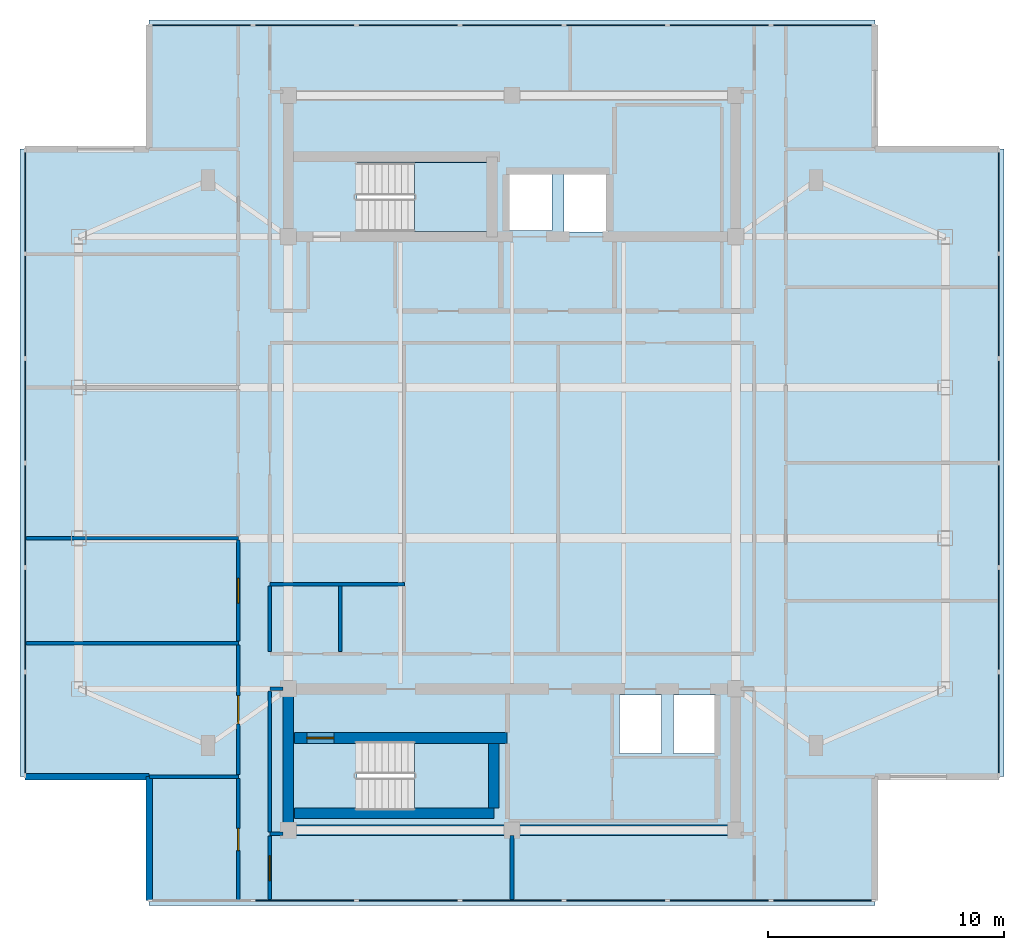
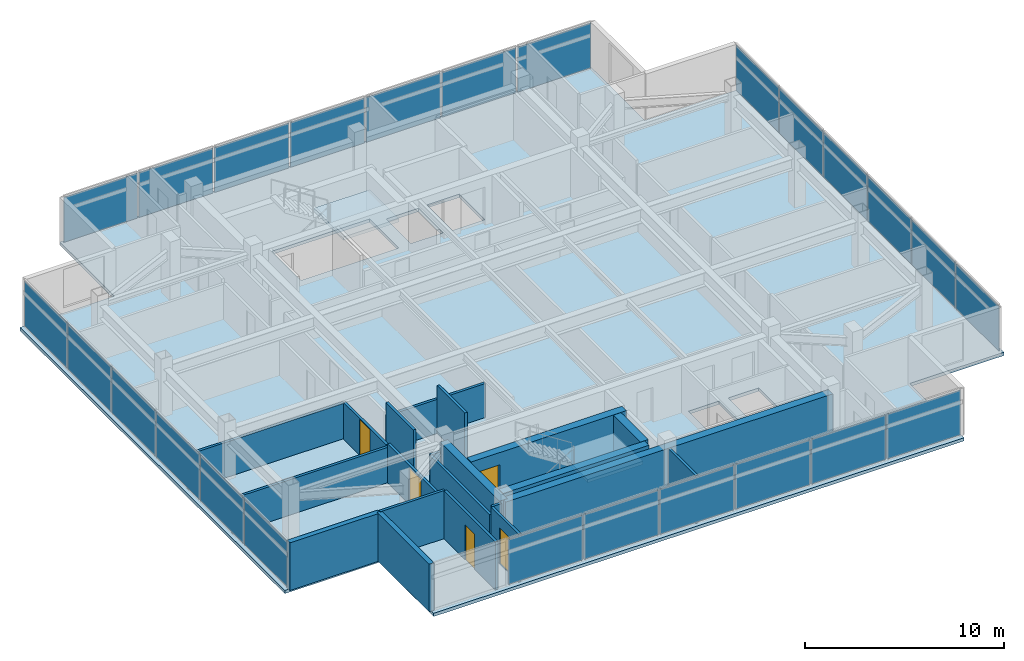
# One storey, part 5 of 11: 25 plates, 21 walls, 5 doors, 3 slabs, 5 openings, 6 elements without a shape of their own.
"""IFC4 building model written with IfcOpenShell, lengths in metres."""

from ifc_helpers import new_model, si_unit, direction, frame, frame_2d, origin, origin_2d, place, context, subcontext, project, spatial, polyline, rectangle, outline, extrude, material, layer, layer_set, type_object, element, fill, aggregate, save


model = new_model("IFC4")

# Units and contexts
model_context = context("Model", 3, precision=1e-05, world=origin(), true_north=direction((0.0, 1.0)))
body_context = subcontext(model_context, "Body", "Model", "MODEL_VIEW")
ifc_project = project(units=[si_unit("LENGTHUNIT", "METRE"), si_unit("AREAUNIT", "SQUARE_METRE"), si_unit("VOLUMEUNIT", "CUBIC_METRE"), si_unit("PLANEANGLEUNIT", "RADIAN"), si_unit("MASSUNIT", "GRAM", prefix="KILO")], contexts=[model_context])

# Site, building, storey
site_placement = place(None, origin())
site = spatial("IfcSite", under=ifc_project, at=site_placement, CompositionType="ELEMENT")
building_placement = place(site_placement, origin())
building = spatial("IfcBuilding", under=site, at=building_placement, Name="Mirazonda Arch Towers", CompositionType="ELEMENT")
storey_placement = place(building_placement, frame((0.0, 0.0, 259.89990234375)))
storey = spatial("IfcBuildingStorey", under=building, at=storey_placement, Name="L74", CompositionType="ELEMENT", Elevation=259.89990234375)

# Curtain wall, plates
ifc_material_1 = material(Name="Anodised Aluminium and Low-E Glass", Category="aluminium")
curtain_wall_type = type_object("IfcCurtainWallType", Name="CW-OBS-LANTERN", PredefinedType="NOTDEFINED", material=ifc_material_1)
curtain_wall_1_placement = place(storey_placement, origin())
curtain_wall_1 = element("IfcCurtainWall", 1, at=curtain_wall_1_placement, inside=storey, type_object=curtain_wall_type, Name="L74 T1 S Facade CW-L74-T1-S", PredefinedType="NOTDEFINED")
ifc_material_2 = material(Name="Insulated Low-E Solar Glass", Category="glass")
ifc_layer_1 = layer(ifc_material_2, 0.048095703125, Name="PAN-CW-OBS-LANTERN")
ifc_layer_set_1 = layer_set([ifc_layer_1], Name="Insulated Low-E Solar Glass")
plate_type = type_object("IfcPlateType", Name="PAN-CW-OBS-LANTERN", PredefinedType="CURTAIN_PANEL", material=ifc_layer_set_1)
plate_1_placement = place(storey_placement, frame((33.681884765625, 9.416015625, 0.090087890625), z_axis=(0.0, 0.0, 1.0), x_axis=(-1.0, 0.0, 0.0)))
plate_1 = element("IfcPlate", 2, at=plate_1_placement, type_object=plate_type, Name="CW-110 panel 1.1", PredefinedType="CURTAIN_PANEL", context=body_context, shape_type="SweptSolid", body=[
    extrude(rectangle(XDim=4.266357421875, YDim=0.048095703125, at=origin_2d()), origin(), (0.0, 0.0, 1.0), 2.75),
])
plate_2_placement = place(storey_placement, frame((29.302978515625, 9.416015625, 0.090087890625), z_axis=(0.0, 0.0, 1.0), x_axis=(-1.0, 0.0, 0.0)))
plate_2 = element("IfcPlate", 3, at=plate_2_placement, type_object=plate_type, Name="CW-110 panel 2.1", PredefinedType="CURTAIN_PANEL", context=body_context, shape_type="SweptSolid", body=[
    extrude(rectangle(XDim=4.3115234375, YDim=0.048095703125, at=origin_2d()), origin(), (0.0, 0.0, 1.0), 2.75),
])
plate_3_placement = place(storey_placement, frame((24.9013671875, 9.416015625, 0.090087890625), z_axis=(0.0, 0.0, 1.0), x_axis=(-1.0, 0.0, 0.0)))
plate_3 = element("IfcPlate", 4, at=plate_3_placement, type_object=plate_type, Name="CW-110 panel 3.1", PredefinedType="CURTAIN_PANEL", context=body_context, shape_type="SweptSolid", body=[
    extrude(rectangle(XDim=4.3115234375, YDim=0.048095703125, at=origin_2d()), origin(), (0.0, 0.0, 1.0), 2.75),
])
plate_4_placement = place(storey_placement, frame((20.5, 9.416015625, 0.090087890625), z_axis=(0.0, 0.0, 1.0), x_axis=(-1.0, 0.0, 0.0)))
plate_4 = element("IfcPlate", 5, at=plate_4_placement, type_object=plate_type, Name="CW-110 panel 4.1", PredefinedType="CURTAIN_PANEL", context=body_context, shape_type="SweptSolid", body=[
    extrude(rectangle(XDim=4.3115234375, YDim=0.048095703125, at=origin_2d()), origin(), (0.0, 0.0, 1.0), 2.75),
])
plate_5_placement = place(storey_placement, frame((16.0986328125, 9.416015625, 0.090087890625), z_axis=(0.0, 0.0, 1.0), x_axis=(-1.0, 0.0, 0.0)))
plate_5 = element("IfcPlate", 6, at=plate_5_placement, type_object=plate_type, Name="CW-110 panel 5.1", PredefinedType="CURTAIN_PANEL", context=body_context, shape_type="SweptSolid", body=[
    extrude(rectangle(XDim=4.3115234375, YDim=0.048095703125, at=origin_2d()), origin(), (0.0, 0.0, 1.0), 2.75),
])
plate_6_placement = place(storey_placement, frame((11.697021484375, 9.416015625, 0.090087890625), z_axis=(0.0, 0.0, 1.0), x_axis=(-1.0, 0.0, 0.0)))
plate_6 = element("IfcPlate", 7, at=plate_6_placement, type_object=plate_type, Name="CW-110 panel 6.1", PredefinedType="CURTAIN_PANEL", context=body_context, shape_type="SweptSolid", body=[
    extrude(rectangle(XDim=4.3115234375, YDim=0.048095703125, at=origin_2d()), origin(), (0.0, 0.0, 1.0), 2.75),
])
aggregate(curtain_wall_1, [plate_1, plate_2, plate_3, plate_4, plate_5, plate_6])

curtain_wall_2_placement = place(storey_placement, origin())
curtain_wall_2 = element("IfcCurtainWall", 8, at=curtain_wall_2_placement, inside=storey, type_object=curtain_wall_type, Name="L74 T1 E Facade CW-L74-T1-E", PredefinedType="NOTDEFINED")
plate_7_placement = place(storey_placement, frame((41.169921875, 16.92333984375, 0.090087890625), z_axis=(0.0, 0.0, 1.0), x_axis=(0.0, 1.0, 0.0)))
plate_7 = element("IfcPlate", 9, at=plate_7_placement, type_object=plate_type, Name="CW-110 panel 1.1", PredefinedType="CURTAIN_PANEL", context=body_context, shape_type="SweptSolid", body=[
    extrude(rectangle(XDim=4.3046875, YDim=0.048095703125, at=origin_2d()), origin(), (0.0, 0.0, 1.0), 2.75),
])
plate_8_placement = place(storey_placement, frame((41.169921875, 21.340576171875, 0.090087890625), z_axis=(0.0, 0.0, 1.0), x_axis=(0.0, 1.0, 0.0)))
plate_8 = element("IfcPlate", 10, at=plate_8_placement, type_object=plate_type, Name="CW-110 panel 2.1", PredefinedType="CURTAIN_PANEL", context=body_context, shape_type="SweptSolid", body=[
    extrude(rectangle(XDim=4.349609375, YDim=0.048095703125, at=origin_2d()), origin(), (0.0, 0.0, 1.0), 2.75),
])
plate_9_placement = place(storey_placement, frame((41.169921875, 25.7802734375, 0.090087890625), z_axis=(0.0, 0.0, 1.0), x_axis=(0.0, 1.0, 0.0)))
plate_9 = element("IfcPlate", 11, at=plate_9_placement, type_object=plate_type, Name="CW-110 panel 3.1", PredefinedType="CURTAIN_PANEL", context=body_context, shape_type="SweptSolid", body=[
    extrude(rectangle(XDim=4.349609375, YDim=0.048095703125, at=origin_2d()), origin(), (0.0, 0.0, 1.0), 2.75),
])
plate_10_placement = place(storey_placement, frame((41.169921875, 30.2197265625, 0.090087890625), z_axis=(0.0, 0.0, 1.0), x_axis=(0.0, 1.0, 0.0)))
plate_10 = element("IfcPlate", 12, at=plate_10_placement, type_object=plate_type, Name="CW-110 panel 4.1", PredefinedType="CURTAIN_PANEL", context=body_context, shape_type="SweptSolid", body=[
    extrude(rectangle(XDim=4.349609375, YDim=0.048095703125, at=origin_2d()), origin(), (0.0, 0.0, 1.0), 2.75),
])
plate_11_placement = place(storey_placement, frame((41.169921875, 34.659423828125, 0.090087890625), z_axis=(0.0, 0.0, 1.0), x_axis=(0.0, 1.0, 0.0)))
plate_11 = element("IfcPlate", 13, at=plate_11_placement, type_object=plate_type, Name="CW-110 panel 5.1", PredefinedType="CURTAIN_PANEL", context=body_context, shape_type="SweptSolid", body=[
    extrude(rectangle(XDim=4.349609375, YDim=0.048095703125, at=origin_2d()), origin(), (0.0, 0.0, 1.0), 2.75),
])
plate_12_placement = place(storey_placement, frame((41.169921875, 39.07666015625, 0.090087890625), z_axis=(0.0, 0.0, 1.0), x_axis=(0.0, 1.0, 0.0)))
plate_12 = element("IfcPlate", 14, at=plate_12_placement, type_object=plate_type, Name="CW-110 panel 6.1", PredefinedType="CURTAIN_PANEL", context=body_context, shape_type="SweptSolid", body=[
    extrude(rectangle(XDim=4.3046875, YDim=0.048095703125, at=origin_2d()), origin(), (0.0, 0.0, 1.0), 2.75),
])
aggregate(curtain_wall_2, [plate_7, plate_8, plate_9, plate_10, plate_11, plate_12])

curtain_wall_3_placement = place(storey_placement, origin())
curtain_wall_3 = element("IfcCurtainWall", 15, at=curtain_wall_3_placement, inside=storey, type_object=curtain_wall_type, Name="L74 T1 N Facade CW-L74-T1-N", PredefinedType="NOTDEFINED")
plate_13_placement = place(storey_placement, frame((7.318115234375, 46.583984375, 0.090087890625), z_axis=(0.0, 0.0, 1.0), x_axis=(1.0, 0.0, 0.0)))
plate_13 = element("IfcPlate", 16, at=plate_13_placement, type_object=plate_type, Name="CW-110 panel 1.1", PredefinedType="CURTAIN_PANEL", context=body_context, shape_type="SweptSolid", body=[
    extrude(rectangle(XDim=4.266357421875, YDim=0.048095703125, at=origin_2d()), origin(), (0.0, 0.0, 1.0), 2.75),
])
plate_14_placement = place(storey_placement, frame((11.697021484375, 46.583984375, 0.090087890625), z_axis=(0.0, 0.0, 1.0), x_axis=(1.0, 0.0, 0.0)))
plate_14 = element("IfcPlate", 17, at=plate_14_placement, type_object=plate_type, Name="CW-110 panel 2.1", PredefinedType="CURTAIN_PANEL", context=body_context, shape_type="SweptSolid", body=[
    extrude(rectangle(XDim=4.3115234375, YDim=0.048095703125, at=origin_2d()), origin(), (0.0, 0.0, 1.0), 2.75),
])
plate_15_placement = place(storey_placement, frame((16.0986328125, 46.583984375, 0.090087890625), z_axis=(0.0, 0.0, 1.0), x_axis=(1.0, 0.0, 0.0)))
plate_15 = element("IfcPlate", 18, at=plate_15_placement, type_object=plate_type, Name="CW-110 panel 3.1", PredefinedType="CURTAIN_PANEL", context=body_context, shape_type="SweptSolid", body=[
    extrude(rectangle(XDim=4.3115234375, YDim=0.048095703125, at=origin_2d()), origin(), (0.0, 0.0, 1.0), 2.75),
])
plate_16_placement = place(storey_placement, frame((20.5, 46.583984375, 0.090087890625), z_axis=(0.0, 0.0, 1.0), x_axis=(1.0, 0.0, 0.0)))
plate_16 = element("IfcPlate", 19, at=plate_16_placement, type_object=plate_type, Name="CW-110 panel 4.1", PredefinedType="CURTAIN_PANEL", context=body_context, shape_type="SweptSolid", body=[
    extrude(rectangle(XDim=4.3115234375, YDim=0.048095703125, at=origin_2d()), origin(), (0.0, 0.0, 1.0), 2.75),
])
plate_17_placement = place(storey_placement, frame((24.9013671875, 46.583984375, 0.090087890625), z_axis=(0.0, 0.0, 1.0), x_axis=(1.0, 0.0, 0.0)))
plate_17 = element("IfcPlate", 20, at=plate_17_placement, type_object=plate_type, Name="CW-110 panel 5.1", PredefinedType="CURTAIN_PANEL", context=body_context, shape_type="SweptSolid", body=[
    extrude(rectangle(XDim=4.3115234375, YDim=0.048095703125, at=origin_2d()), origin(), (0.0, 0.0, 1.0), 2.75),
])
plate_18_placement = place(storey_placement, frame((29.302978515625, 46.583984375, 0.090087890625), z_axis=(0.0, 0.0, 1.0), x_axis=(1.0, 0.0, 0.0)))
plate_18 = element("IfcPlate", 21, at=plate_18_placement, type_object=plate_type, Name="CW-110 panel 6.1", PredefinedType="CURTAIN_PANEL", context=body_context, shape_type="SweptSolid", body=[
    extrude(rectangle(XDim=4.3115234375, YDim=0.048095703125, at=origin_2d()), origin(), (0.0, 0.0, 1.0), 2.75),
])
plate_19_placement = place(storey_placement, frame((33.681884765625, 46.583984375, 0.090087890625), z_axis=(0.0, 0.0, 1.0), x_axis=(1.0, 0.0, 0.0)))
plate_19 = element("IfcPlate", 22, at=plate_19_placement, type_object=plate_type, Name="CW-110 panel 7.1", PredefinedType="CURTAIN_PANEL", context=body_context, shape_type="SweptSolid", body=[
    extrude(rectangle(XDim=4.266357421875, YDim=0.048095703125, at=origin_2d()), origin(), (0.0, 0.0, 1.0), 2.75),
])
aggregate(curtain_wall_3, [plate_13, plate_14, plate_15, plate_16, plate_17, plate_18, plate_19])

curtain_wall_4_placement = place(storey_placement, origin())
curtain_wall_4 = element("IfcCurtainWall", 23, at=curtain_wall_4_placement, inside=storey, type_object=curtain_wall_type, Name="L74 T1 W Facade CW-L74-T1-W", PredefinedType="NOTDEFINED")
plate_20_placement = place(storey_placement, frame((-0.169921875, 39.07666015625, 0.090087890625), z_axis=(0.0, 0.0, 1.0), x_axis=(0.0, -1.0, 0.0)))
plate_20 = element("IfcPlate", 24, at=plate_20_placement, type_object=plate_type, Name="CW-110 panel 1.1", PredefinedType="CURTAIN_PANEL", context=body_context, shape_type="SweptSolid", body=[
    extrude(rectangle(XDim=4.3046875, YDim=0.048095703125, at=origin_2d()), origin(), (0.0, 0.0, 1.0), 2.75),
])
plate_21_placement = place(storey_placement, frame((-0.169921875, 34.659423828125, 0.090087890625), z_axis=(0.0, 0.0, 1.0), x_axis=(0.0, -1.0, 0.0)))
plate_21 = element("IfcPlate", 25, at=plate_21_placement, type_object=plate_type, Name="CW-110 panel 2.1", PredefinedType="CURTAIN_PANEL", context=body_context, shape_type="SweptSolid", body=[
    extrude(rectangle(XDim=4.349609375, YDim=0.048095703125, at=origin_2d()), origin(), (0.0, 0.0, 1.0), 2.75),
])
plate_22_placement = place(storey_placement, frame((-0.169921875, 30.2197265625, 0.090087890625), z_axis=(0.0, 0.0, 1.0), x_axis=(0.0, -1.0, 0.0)))
plate_22 = element("IfcPlate", 26, at=plate_22_placement, type_object=plate_type, Name="CW-110 panel 3.1", PredefinedType="CURTAIN_PANEL", context=body_context, shape_type="SweptSolid", body=[
    extrude(rectangle(XDim=4.349609375, YDim=0.048095703125, at=origin_2d()), origin(), (0.0, 0.0, 1.0), 2.75),
])
plate_23_placement = place(storey_placement, frame((-0.169921875, 25.7802734375, 0.090087890625), z_axis=(0.0, 0.0, 1.0), x_axis=(0.0, -1.0, 0.0)))
plate_23 = element("IfcPlate", 27, at=plate_23_placement, type_object=plate_type, Name="CW-110 panel 4.1", PredefinedType="CURTAIN_PANEL", context=body_context, shape_type="SweptSolid", body=[
    extrude(rectangle(XDim=4.349609375, YDim=0.048095703125, at=origin_2d()), origin(), (0.0, 0.0, 1.0), 2.75),
])
plate_24_placement = place(storey_placement, frame((-0.169921875, 21.340576171875, 0.090087890625), z_axis=(0.0, 0.0, 1.0), x_axis=(0.0, -1.0, 0.0)))
plate_24 = element("IfcPlate", 28, at=plate_24_placement, type_object=plate_type, Name="CW-110 panel 5.1", PredefinedType="CURTAIN_PANEL", context=body_context, shape_type="SweptSolid", body=[
    extrude(rectangle(XDim=4.349609375, YDim=0.048095703125, at=origin_2d()), origin(), (0.0, 0.0, 1.0), 2.75),
])
plate_25_placement = place(storey_placement, frame((-0.169921875, 16.92333984375, 0.090087890625), z_axis=(0.0, 0.0, 1.0), x_axis=(0.0, -1.0, 0.0)))
plate_25 = element("IfcPlate", 29, at=plate_25_placement, type_object=plate_type, Name="CW-110 panel 6.1", PredefinedType="CURTAIN_PANEL", context=body_context, shape_type="SweptSolid", body=[
    extrude(rectangle(XDim=4.3046875, YDim=0.048095703125, at=origin_2d()), origin(), (0.0, 0.0, 1.0), 2.75),
])
aggregate(curtain_wall_4, [plate_20, plate_21, plate_22, plate_23, plate_24, plate_25])

# Stair, slab
ifc_material_3 = material(Name="Concrete C40/50", Category="concrete")
stair_type = type_object("IfcStairType", Name="STAIR-CORE-1400", PredefinedType="HALF_TURN_STAIR", material=ifc_material_3)
stair_1_placement = place(storey_placement, origin())
stair_1 = element("IfcStair", 30, at=stair_1_placement, inside=storey, type_object=stair_type, Name="L74 Protected Exit Stair ST-T1N", PredefinedType="HALF_TURN_STAIR")
ifc_layer_2 = layer(ifc_material_3, 0.18994140625, Name="SLAB-LANDING-190")
ifc_layer_set_2 = layer_set([ifc_layer_2], Name="Concrete C40/50")
slab_type_1 = type_object("IfcSlabType", Name="SLAB-LANDING-190", PredefinedType="LANDING", material=ifc_layer_set_2)
slab_1_placement = place(storey_placement, frame((0.0, 0.0, 1.60009765625)))
slab_1 = element("IfcSlab", 31, at=slab_1_placement, type_object=slab_type_1, Name="ST-T1N landing 1", PredefinedType="LANDING", context=body_context, shape_type="SweptSolid", body=[
    extrude(outline(polyline([(16.3701171875, 37.820068359375), (19.60009765625, 37.820068359375), (19.60009765625, 40.760009765625), (16.3701171875, 40.760009765625), (16.3701171875, 37.820068359375)])), origin(), (0.0, 0.0, 1.0), 0.199951171875),
])
aggregate(stair_1, [slab_1])

stair_2_placement = place(storey_placement, origin())
stair_2 = element("IfcStair", 32, at=stair_2_placement, inside=storey, type_object=stair_type, Name="L74 Protected Exit Stair ST-T1S", PredefinedType="HALF_TURN_STAIR")
slab_2_placement = place(storey_placement, frame((0.0, 0.0, 1.60009765625)))
slab_2 = element("IfcSlab", 33, at=slab_2_placement, type_object=slab_type_1, Name="ST-T1S landing 1", PredefinedType="LANDING", context=body_context, shape_type="SweptSolid", body=[
    extrude(outline(polyline([(16.3701171875, 13.25), (19.60009765625, 13.25), (19.60009765625, 16.18994140625), (16.3701171875, 16.18994140625), (16.3701171875, 13.25)])), origin(), (0.0, 0.0, 1.0), 0.199951171875),
])
aggregate(stair_2, [slab_2])

# Slab
ifc_layer_3 = layer(ifc_material_3, 0.199951171875, Name="SLAB-TWR-200")
ifc_layer_set_3 = layer_set([ifc_layer_3], Name="Concrete C40/50")
slab_type_2 = type_object("IfcSlabType", Name="SLAB-TWR-200", PredefinedType="FLOOR", material=ifc_layer_set_3)
slab_3_placement = place(storey_placement, frame((0.0, 0.0, -0.199951171875)))
element("IfcSlab", 34, at=slab_3_placement, inside=storey, type_object=slab_type_2, Name="L74 Tower 1 Floor Slab", PredefinedType="FLOOR", context=body_context, shape_type="SweptSolid", body=[
    extrude(outline(polyline([(5.094970703125, 9.196044921875), (35.905029296875, 9.196044921875), (35.905029296875, 14.680908203125), (41.389892578125, 14.680908203125), (41.389892578125, 41.319091796875), (35.905029296875, 41.319091796875), (35.905029296875, 46.803955078125), (5.094970703125, 46.803955078125), (5.094970703125, 41.319091796875), (-0.389892578125, 41.319091796875), (-0.389892578125, 14.680908203125), (5.094970703125, 14.680908203125), (5.094970703125, 9.196044921875)]), holes=[polyline([(27.360107421875, 18.139892578125), (29.139892578125, 18.139892578125), (29.139892578125, 15.659912109375), (27.360107421875, 15.659912109375), (27.360107421875, 18.139892578125)]), polyline([(25.06005859375, 18.139892578125), (26.840087890625, 18.139892578125), (26.840087890625, 15.659912109375), (25.06005859375, 15.659912109375), (25.06005859375, 18.139892578125)]), polyline([(22.7099609375, 40.389892578125), (24.590087890625, 40.389892578125), (24.590087890625, 37.81005859375), (22.7099609375, 37.81005859375), (22.7099609375, 40.389892578125)]), polyline([(20.31005859375, 37.860107421875), (20.31005859375, 40.340087890625), (22.18994140625, 40.340087890625), (22.18994140625, 37.860107421875), (20.31005859375, 37.860107421875)]), polyline([(19.60009765625, 13.25), (13.925048828125, 13.25), (13.925048828125, 16.18994140625), (19.60009765625, 16.18994140625), (19.60009765625, 13.25)]), polyline([(13.925048828125, 37.820068359375), (13.925048828125, 40.760009765625), (19.60009765625, 40.760009765625), (19.60009765625, 37.820068359375), (13.925048828125, 37.820068359375)])]), origin(), (0.0, 0.0, 1.0), 0.199951171875),
])

# Walls
ifc_material_4 = material(Name="Concrete C50/60", Category="concrete")
ifc_layer_4 = layer(ifc_material_4, 0.449951171875, Name="WALL-CORE-450")
ifc_layer_set_4 = layer_set([ifc_layer_4], Name="Concrete C50/60")
wall_type_1 = type_object("IfcWallType", Name="WALL-CORE-450", PredefinedType="SHEAR", material=ifc_layer_set_4)
wall_1_placement = place(storey_placement, frame((11.0, 12.39990234375, 0.0), z_axis=(0.0, 0.0, 1.0), x_axis=(1.0, 0.0, 0.0)))
element("IfcWall", 35, at=wall_1_placement, inside=storey, type_object=wall_type_1, Name="L74 T1S-S Core Shear Wall", PredefinedType="SHEAR", context=body_context, shape_type="SweptSolid", body=[
    extrude(rectangle(XDim=19.0, YDim=0.449951171875, at=frame_2d((9.5, 0.0))), origin(), (0.0, 0.0, 1.0), 2.9501953125),
])
wall_2_placement = place(storey_placement, frame((11.0, 12.39990234375, 0.0), z_axis=(0.0, 0.0, 1.0), x_axis=(0.0, 1.0, 0.0)))
element("IfcWall", 36, at=wall_2_placement, inside=storey, type_object=wall_type_1, Name="L74 T1S-W Core Shear Wall", PredefinedType="SHEAR", context=body_context, shape_type="SweptSolid", body=[
    extrude(rectangle(XDim=6.0, YDim=0.449951171875, at=frame_2d((3.0, 0.0))), origin(), (0.0, 0.0, 1.0), 2.9501953125),
])
wall_3_placement = place(storey_placement, frame((11.27001953125, 13.1201171875, 0.0), z_axis=(0.0, 0.0, 1.0), x_axis=(1.0, 0.0, 0.0)))
element("IfcWall", 37, at=wall_3_placement, inside=storey, type_object=wall_type_1, Name="L74 Stair Core Shear Wall 004", PredefinedType="SHEAR", context=body_context, shape_type="SweptSolid", body=[
    extrude(rectangle(XDim=8.4599609375, YDim=0.449951171875, at=frame_2d((4.22998046875, 0.0))), origin(), (0.0, 0.0, 1.0), 2.9501953125),
])

# Wall, opening, door
wall_4_placement = place(storey_placement, frame((11.27001953125, 16.320068359375, 0.0), z_axis=(0.0, 0.0, 1.0), x_axis=(1.0, 0.0, 0.0)))
wall_4 = element("IfcWall", 38, at=wall_4_placement, inside=storey, type_object=wall_type_1, Name="L74 Stair Core Shear Wall 008", PredefinedType="SHEAR", context=body_context, shape_type="SweptSolid", body=[
    extrude(rectangle(XDim=9.010009765625, YDim=0.449951171875, at=frame_2d((4.5048828125, 0.0))), origin(), (0.0, 0.0, 1.0), 2.9501953125),
])
opening_1_placement = place(wall_4_placement, frame((0.52001953125, 0.0, 0.0)))
opening_1 = element("IfcOpeningElement", 39, at=opening_1_placement, cuts=wall_4, Name="Opening DR-135", PredefinedType="OPENING", context=body_context, shape_type="SweptSolid", body=[
    extrude(rectangle(XDim=1.14990234375, YDim=2.199951171875, at=frame_2d((0.574951171875, 1.10009765625))), frame((0.0, 0.23486328125, 0.0), z_axis=(0.0, -1.0, 0.0), x_axis=(1.0, 0.0, 0.0)), (0.0, 0.0, 1.0), 0.469970703125),
])
ifc_material_5 = material(Name="Architectural Brushed Steel S355", Category="steel")
door_type_1 = type_object("IfcDoorType", Name="DOOR-STAIR-FD90-1150", OperationType="NOTDEFINED", PredefinedType="DOOR", material=ifc_material_5)
door_1_placement = place(opening_1_placement, origin())
door_1 = element("IfcDoor", 40, at=door_1_placement, inside=storey, type_object=door_type_1, Name="L74 Protected Exit Stair South Door", OperationType="SINGLE_SWING_LEFT", OverallHeight=2.199951171875, OverallWidth=1.14990234375, PredefinedType="DOOR", context=body_context, shape_type="SweptSolid", body=[
    extrude(rectangle(XDim=1.14990234375, YDim=2.199951171875, at=frame_2d((0.574951171875, 1.10009765625))), frame((0.0, 0.02490234375, 0.0), z_axis=(0.0, -1.0, 0.0), x_axis=(1.0, 0.0, 0.0)), (0.0, 0.0, 1.0), 0.050048828125),
])
fill(opening_1, door_1)

# Walls
wall_5_placement = place(storey_placement, frame((19.72998046875, 13.35498046875, 0.0), z_axis=(0.0, 0.0, 1.0), x_axis=(0.0, 1.0, 0.0)))
element("IfcWall", 41, at=wall_5_placement, inside=storey, type_object=wall_type_1, Name="L74 Stair Core Shear Wall 047", PredefinedType="SHEAR", context=body_context, shape_type="SweptSolid", body=[
    extrude(rectangle(XDim=2.72998046875, YDim=0.449951171875, at=frame_2d((1.364990234375, 0.0))), origin(), (0.0, 0.0, 1.0), 2.9501953125),
])
ifc_material_6 = material(Name="Precast Concrete C40/50", Category="concrete")
ifc_layer_5 = layer(ifc_material_6, 0.280029296875, Name="WALL-EXT-WALL-280")
ifc_layer_set_5 = layer_set([ifc_layer_5], Name="Precast Concrete C40/50")
wall_type_2 = type_object("IfcWallType", Name="WALL-EXT-WALL-280", PredefinedType="SOLIDWALL", material=ifc_layer_set_5)
for number, where, z_axis, x_axis, name in (
    (42, (5.094970703125, 14.680908203125, 0.0), (0.0, 0.0, 1.0), (0.0, -1.0, 0.0), "L74 T1 Notched SW Corner Wall WL-L74-T1-CSW"),
    (43, (-0.169921875, 14.680908203125, 0.0), (0.0, 0.0, 1.0), (1.0, 0.0, 0.0), "L74 T1 Corner Notch Return Wall WL-L74-T1-CSW2"),
):
    element("IfcWall", number, at=place(storey_placement, frame(where, z_axis=z_axis, x_axis=x_axis)), inside=storey, type_object=wall_type_2, Name=name, PredefinedType="SOLIDWALL", context=body_context, shape_type="SweptSolid", body=[
        extrude(rectangle(XDim=5.264892578125, YDim=0.280029296875, at=frame_2d((2.63232421875, 0.0))), origin(), (0.0, 0.0, 1.0), 2.93017578125),
    ])
ifc_material_7 = material(Name="Fire-Rated Gypsum Stud Partition")
ifc_layer_6 = layer(ifc_material_7, 0.14990234375, Name="WALL-PART-CORR-150")
ifc_layer_set_6 = layer_set([ifc_layer_6], Name="Fire-Rated Gypsum Stud Partition")
wall_type_3 = type_object("IfcWallType", Name="WALL-PART-CORR-150", PredefinedType="PARTITIONING", material=ifc_layer_set_6)
wall_6_placement = place(storey_placement, frame((10.219970703125, 12.25, 0.0), z_axis=(0.0, 0.0, 1.0), x_axis=(1.0, 0.0, 0.0)))
element("IfcWall", 44, at=wall_6_placement, inside=storey, type_object=wall_type_3, Name="L74 Interior Partition 001", PredefinedType="PARTITIONING", context=body_context, shape_type="SweptSolid", body=[
    extrude(rectangle(XDim=0.56005859375, YDim=0.14990234375, at=frame_2d((0.280029296875, 0.0))), origin(), (0.0, 0.0, 1.0), 2.9501953125),
])
wall_7_placement = place(storey_placement, frame((5.114990234375, 14.680908203125, 0.0), z_axis=(0.0, 0.0, 1.0), x_axis=(1.0, 0.0, 0.0)))
element("IfcWall", 45, at=wall_7_placement, inside=storey, type_object=wall_type_3, Name="L74 Interior Partition 005", PredefinedType="PARTITIONING", context=body_context, shape_type="SweptSolid", body=[
    extrude(rectangle(XDim=3.764892578125, YDim=0.14990234375, at=frame_2d((1.88232421875, 0.0))), origin(), (0.0, 0.0, 1.0), 2.9501953125),
])
wall_8_placement = place(storey_placement, frame((10.219970703125, 18.39990234375, 0.0), z_axis=(0.0, 0.0, 1.0), x_axis=(1.0, 0.0, 0.0)))
element("IfcWall", 46, at=wall_8_placement, inside=storey, type_object=wall_type_3, Name="L74 Interior Partition 009", PredefinedType="PARTITIONING", context=body_context, shape_type="SweptSolid", body=[
    extrude(rectangle(XDim=0.56005859375, YDim=0.14990234375, at=frame_2d((0.280029296875, 0.0))), origin(), (0.0, 0.0, 1.0), 2.39306640625),
])
wall_9_placement = place(storey_placement, frame((-0.169921875, 20.347900390625, 0.0), z_axis=(0.0, 0.0, 1.0), x_axis=(1.0, 0.0, 0.0)))
element("IfcWall", 47, at=wall_9_placement, inside=storey, type_object=wall_type_3, Name="L74 Interior Partition 012", PredefinedType="PARTITIONING", context=body_context, shape_type="SweptSolid", body=[
    extrude(rectangle(XDim=9.0498046875, YDim=0.14990234375, at=frame_2d((4.52490234375, 0.0))), origin(), (0.0, 0.0, 1.0), 2.169189453125),
])
wall_10_placement = place(storey_placement, frame((10.219970703125, 22.85009765625, 0.0), z_axis=(0.0, 0.0, 1.0), x_axis=(1.0, 0.0, 0.0)))
element("IfcWall", 48, at=wall_10_placement, inside=storey, type_object=wall_type_3, Name="L74 Interior Partition 014", PredefinedType="PARTITIONING", context=body_context, shape_type="SweptSolid", body=[
    extrude(rectangle(XDim=5.7099609375, YDim=0.14990234375, at=frame_2d((2.85498046875, 0.0))), origin(), (0.0, 0.0, 1.0), 2.086181640625),
])
wall_11_placement = place(storey_placement, frame((-0.169921875, 24.800048828125, 0.0), z_axis=(0.0, 0.0, 1.0), x_axis=(1.0, 0.0, 0.0)))
element("IfcWall", 49, at=wall_11_placement, inside=storey, type_object=wall_type_3, Name="L74 Interior Partition 015", PredefinedType="PARTITIONING", context=body_context, shape_type="SweptSolid", body=[
    extrude(rectangle(XDim=9.0498046875, YDim=0.14990234375, at=frame_2d((4.52490234375, 0.0))), origin(), (0.0, 0.0, 1.0), 2.169189453125),
])

# Wall, opening, door
wall_12_placement = place(storey_placement, frame((8.8798828125, 9.416015625, 0.0), z_axis=(0.0, 0.0, 1.0), x_axis=(0.0, 1.0, 0.0)))
wall_12 = element("IfcWall", 50, at=wall_12_placement, inside=storey, type_object=wall_type_3, Name="L74 Interior Partition 029", PredefinedType="PARTITIONING", context=body_context, shape_type="SweptSolid", body=[
    extrude(rectangle(XDim=5.179931640625, YDim=0.14990234375, at=frame_2d((2.58984375, 0.0))), origin(), (0.0, 0.0, 1.0), 2.9501953125),
])
opening_2_placement = place(wall_12_placement, frame((2.114990234375, 0.0, 0.0)))
opening_2 = element("IfcOpeningElement", 51, at=opening_2_placement, cuts=wall_12, Name="Opening DR-104", PredefinedType="OPENING", context=body_context, shape_type="SweptSolid", body=[
    extrude(rectangle(XDim=0.949951171875, YDim=2.14990234375, at=frame_2d((0.47509765625, 1.074951171875))), frame((0.0, 0.0849609375, 0.0), z_axis=(0.0, -1.0, 0.0), x_axis=(1.0, 0.0, 0.0)), (0.0, 0.0, 1.0), 0.169921875),
])
door_type_2 = type_object("IfcDoorType", Name="DOOR-ROOM-950", OperationType="NOTDEFINED", PredefinedType="DOOR", material=ifc_material_5)
door_2_placement = place(opening_2_placement, origin())
door_2 = element("IfcDoor", 52, at=door_2_placement, inside=storey, type_object=door_type_2, Name="L74 South Lookout Salon Alcove West Door", OperationType="SINGLE_SWING_RIGHT", OverallHeight=2.14990234375, OverallWidth=0.949951171875, PredefinedType="DOOR", context=body_context, shape_type="SweptSolid", body=[
    extrude(rectangle(XDim=0.949951171875, YDim=2.14990234375, at=frame_2d((0.47509765625, 1.074951171875))), frame((0.0, 0.02490234375, 0.0), z_axis=(0.0, -1.0, 0.0), x_axis=(1.0, 0.0, 0.0)), (0.0, 0.0, 1.0), 0.050048828125),
])
fill(opening_2, door_2)

wall_13_placement = place(storey_placement, frame((8.8798828125, 14.76611328125, 0.0), z_axis=(0.0, 0.0, 1.0), x_axis=(0.0, 1.0, 0.0)))
wall_13 = element("IfcWall", 53, at=wall_13_placement, inside=storey, type_object=wall_type_3, Name="L74 Interior Partition 030", PredefinedType="PARTITIONING", context=body_context, shape_type="SweptSolid", body=[
    extrude(rectangle(XDim=5.496826171875, YDim=0.14990234375, at=frame_2d((2.74853515625, 0.0))), origin(), (0.0, 0.0, 1.0), 2.39306640625),
])
opening_3_placement = place(wall_13_placement, frame((2.1484375, 0.0, 0.0)))
opening_3 = element("IfcOpeningElement", 54, at=opening_3_placement, cuts=wall_13, Name="Opening DR-117", PredefinedType="OPENING", context=body_context, shape_type="SweptSolid", body=[
    extrude(rectangle(XDim=1.199951171875, YDim=2.25, at=frame_2d((0.60009765625, 1.125))), frame((0.0, 0.0849609375, 0.0), z_axis=(0.0, -1.0, 0.0), x_axis=(1.0, 0.0, 0.0)), (0.0, 0.0, 1.0), 0.169921875),
])
door_type_3 = type_object("IfcDoorType", Name="DOOR-FFL-FD90-1200", OperationType="NOTDEFINED", PredefinedType="DOOR", material=ifc_material_5)
door_3_placement = place(opening_3_placement, origin())
door_3 = element("IfcDoor", 55, at=door_3_placement, inside=storey, type_object=door_type_3, Name="L74 Interactive City Heritage Gallery 1 Door", OperationType="SINGLE_SWING_LEFT", OverallHeight=2.25, OverallWidth=1.199951171875, PredefinedType="DOOR", context=body_context, shape_type="SweptSolid", body=[
    extrude(rectangle(XDim=1.199951171875, YDim=2.25, at=frame_2d((0.60009765625, 1.125))), frame((0.0, 0.02490234375, 0.0), z_axis=(0.0, -1.0, 0.0), x_axis=(1.0, 0.0, 0.0)), (0.0, 0.0, 1.0), 0.050048828125),
])
fill(opening_3, door_3)

wall_14_placement = place(storey_placement, frame((8.8798828125, 20.43310546875, 0.0), z_axis=(0.0, 0.0, 1.0), x_axis=(0.0, 1.0, 0.0)))
wall_14 = element("IfcWall", 56, at=wall_14_placement, inside=storey, type_object=wall_type_3, Name="L74 Interior Partition 031", PredefinedType="PARTITIONING", context=body_context, shape_type="SweptSolid", body=[
    extrude(rectangle(XDim=4.281982421875, YDim=0.14990234375, at=frame_2d((2.14111328125, 0.0))), origin(), (0.0, 0.0, 1.0), 2.24609375),
])
opening_4_placement = place(wall_14_placement, frame((1.615966796875, 0.0, 0.0)))
opening_4 = element("IfcOpeningElement", 57, at=opening_4_placement, cuts=wall_14, Name="Opening DR-121", PredefinedType="OPENING", context=body_context, shape_type="SweptSolid", body=[
    extrude(rectangle(XDim=1.050048828125, YDim=2.199951171875, at=frame_2d((0.52490234375, 1.10009765625))), frame((0.0, 0.0849609375, 0.0), z_axis=(0.0, -1.0, 0.0), x_axis=(1.0, 0.0, 0.0)), (0.0, 0.0, 1.0), 0.169921875),
])
door_type_4 = type_object("IfcDoorType", Name="DOOR-SUITE-FD60-1050", OperationType="NOTDEFINED", PredefinedType="DOOR", material=ifc_material_5)
door_4_placement = place(opening_4_placement, origin())
door_4 = element("IfcDoor", 58, at=door_4_placement, inside=storey, type_object=door_type_4, Name="L74 Sky-Lookout Espresso & Patisserie Bar 1B Door", OperationType="SINGLE_SWING_RIGHT", OverallHeight=2.199951171875, OverallWidth=1.050048828125, PredefinedType="DOOR", context=body_context, shape_type="SweptSolid", body=[
    extrude(rectangle(XDim=1.050048828125, YDim=2.199951171875, at=frame_2d((0.52490234375, 1.10009765625))), frame((0.0, 0.02490234375, 0.0), z_axis=(0.0, -1.0, 0.0), x_axis=(1.0, 0.0, 0.0)), (0.0, 0.0, 1.0), 0.050048828125),
])
fill(opening_4, door_4)

wall_15_placement = place(storey_placement, frame((10.219970703125, 9.416015625, 0.0), z_axis=(0.0, 0.0, 1.0), x_axis=(0.0, 1.0, 0.0)))
wall_15 = element("IfcWall", 59, at=wall_15_placement, inside=storey, type_object=wall_type_3, Name="L74 Interior Partition 036", PredefinedType="PARTITIONING", context=body_context, shape_type="SweptSolid", body=[
    extrude(rectangle(XDim=2.7490234375, YDim=0.14990234375, at=frame_2d((1.37451171875, 0.0))), origin(), (0.0, 0.0, 1.0), 2.9501953125),
])
opening_5_placement = place(wall_15_placement, frame((0.849609375, 0.0, 0.0)))
opening_5 = element("IfcOpeningElement", 60, at=opening_5_placement, cuts=wall_15, Name="Opening DR-121", PredefinedType="OPENING", context=body_context, shape_type="SweptSolid", body=[
    extrude(rectangle(XDim=1.050048828125, YDim=2.199951171875, at=frame_2d((0.52490234375, 1.10009765625))), frame((0.0, 0.0849609375, 0.0), z_axis=(0.0, -1.0, 0.0), x_axis=(1.0, 0.0, 0.0)), (0.0, 0.0, 1.0), 0.169921875),
])
door_5_placement = place(opening_5_placement, origin())
door_5 = element("IfcDoor", 61, at=door_5_placement, inside=storey, type_object=door_type_4, Name="L74 South Lookout Salon West Door", OperationType="SINGLE_SWING_RIGHT", OverallHeight=2.199951171875, OverallWidth=1.050048828125, PredefinedType="DOOR", context=body_context, shape_type="SweptSolid", body=[
    extrude(rectangle(XDim=1.050048828125, YDim=2.199951171875, at=frame_2d((0.52490234375, 1.10009765625))), frame((0.0, 0.02490234375, 0.0), z_axis=(0.0, -1.0, 0.0), x_axis=(1.0, 0.0, 0.0)), (0.0, 0.0, 1.0), 0.050048828125),
])
fill(opening_5, door_5)

# Walls
wall_16_placement = place(storey_placement, frame((10.219970703125, 12.3349609375, 0.0), z_axis=(0.0, 0.0, 1.0), x_axis=(0.0, 1.0, 0.0)))
element("IfcWall", 62, at=wall_16_placement, inside=storey, type_object=wall_type_3, Name="L74 Interior Partition 037", PredefinedType="PARTITIONING", context=body_context, shape_type="SweptSolid", body=[
    extrude(rectangle(XDim=5.97998046875, YDim=0.14990234375, at=frame_2d((2.989990234375, 0.0))), origin(), (0.0, 0.0, 1.0), 2.39306640625),
])
for number, where, z_axis, x_axis, name in (
    (63, (10.219970703125, 19.985107421875, 0.0), (0.0, 0.0, 1.0), (0.0, 1.0, 0.0), "L74 Interior Partition 038"),
    (64, (13.199951171875, 19.985107421875, 0.0), (0.0, 0.0, 1.0), (0.0, 1.0, 0.0), "L74 Interior Partition 043"),
):
    element("IfcWall", number, at=place(storey_placement, frame(where, z_axis=z_axis, x_axis=x_axis)), inside=storey, type_object=wall_type_3, Name=name, PredefinedType="PARTITIONING", context=body_context, shape_type="SweptSolid", body=[
        extrude(rectangle(XDim=2.77978515625, YDim=0.14990234375, at=frame_2d((1.389892578125, 0.0))), origin(), (0.0, 0.0, 1.0), 2.9501953125),
    ])
wall_17_placement = place(storey_placement, frame((20.5, 9.416015625, 0.0), z_axis=(0.0, 0.0, 1.0), x_axis=(0.0, 1.0, 0.0)))
element("IfcWall", 65, at=wall_17_placement, inside=storey, type_object=wall_type_3, Name="L74 Interior Partition 052", PredefinedType="PARTITIONING", context=body_context, shape_type="SweptSolid", body=[
    extrude(rectangle(XDim=2.763916015625, YDim=0.14990234375, at=frame_2d((1.3818359375, 0.0))), origin(), (0.0, 0.0, 1.0), 2.9501953125),
])

save(model, "model.ifc")
